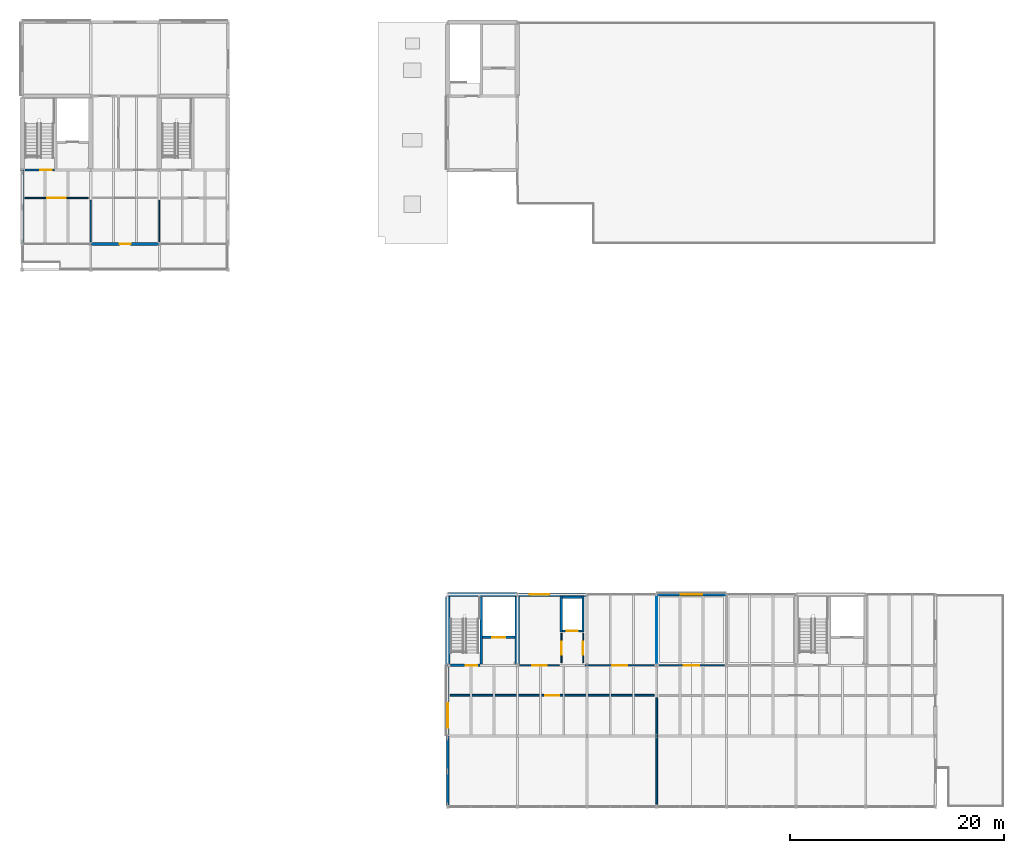
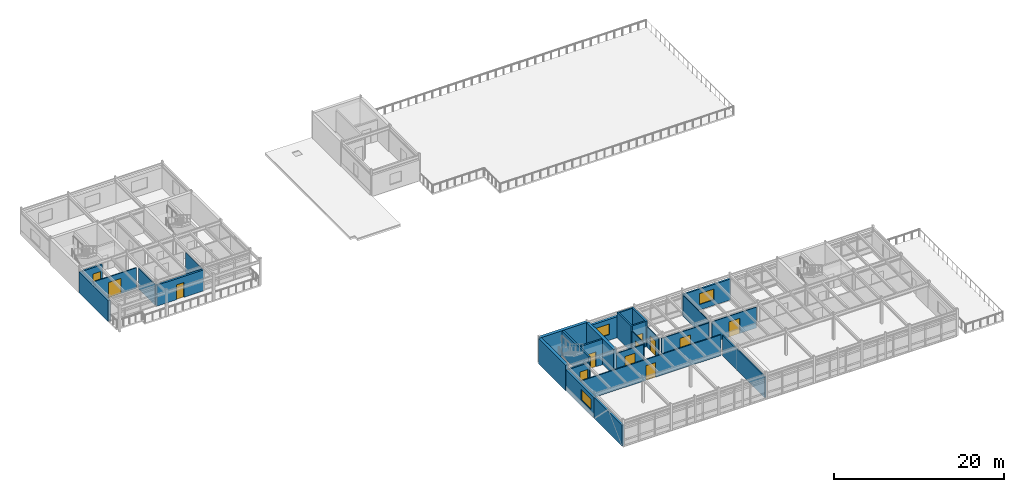
# One storey, part 18 of 26: 28 walls, 12 doors, 3 windows, 15 openings.
"""IFC4 building model written with IfcOpenShell, lengths in metres."""

from ifc_helpers import new_model, si_unit, direction, frame, frame_2d, origin, place, context, subcontext, project, spatial, rectangle, extrude, material, layer, layer_set, type_object, element, fill, save


model = new_model("IFC4")

# Units and contexts
model_context = context("Model", 3, precision=1e-05, world=origin(), true_north=direction((0.0, 1.0)))
body_context = subcontext(model_context, "Body", "Model", "MODEL_VIEW")
ifc_project = project(units=[si_unit("LENGTHUNIT", "METRE"), si_unit("AREAUNIT", "SQUARE_METRE"), si_unit("VOLUMEUNIT", "CUBIC_METRE"), si_unit("PLANEANGLEUNIT", "RADIAN"), si_unit("MASSUNIT", "GRAM", prefix="KILO")], contexts=[model_context])

# Site, building, storey
site_placement = place(None, origin())
site = spatial("IfcSite", under=ifc_project, at=site_placement, CompositionType="ELEMENT")
building_placement = place(site_placement, origin())
building = spatial("IfcBuilding", under=site, at=building_placement, Name="Trelmorton Wharf Fire Station", CompositionType="ELEMENT")
storey_placement = place(building_placement, frame((0.0, 0.0, 17.39990234375)))
storey = spatial("IfcBuildingStorey", under=building, at=storey_placement, Name="L04", CompositionType="ELEMENT", Elevation=17.39990234375)

# Wall, opening, window
ifc_material_1 = material(Name="Precast concrete 45 MPa", Category="concrete")
ifc_layer_1 = layer(ifc_material_1, 0.22998046875)
ifc_layer_set_1 = layer_set([ifc_layer_1], Name="Precast concrete 45 MPa")
wall_type_1 = type_object("IfcWallType", Name="EW_PREC_230", PredefinedType="SOLIDWALL", material=ifc_layer_set_1)
wall_1_placement = place(storey_placement, frame((130.0048828125, 27.60009765625, 0.0), z_axis=(0.0, 0.0, 1.0), x_axis=(1.0, 0.0, 0.0)))
wall_1 = element("IfcWall", 1, at=wall_1_placement, inside=storey, type_object=wall_type_1, Name="EW-V5-L04-0108", PredefinedType="SOLIDWALL", context=body_context, shape_type="SweptSolid", body=[
    extrude(rectangle(XDim=6.490234375, YDim=0.22998046875, at=frame_2d((3.2451171875, 0.0))), origin(), (0.0, 0.0, 1.0), 3.02001953125),
])
opening_1_placement = place(wall_1_placement, frame((2.2451171875, 0.0, 0.800048828125)))
opening_1 = element("IfcOpeningElement", 2, at=opening_1_placement, cuts=wall_1, Name="Opening W42", PredefinedType="OPENING", context=body_context, shape_type="SweptSolid", body=[
    extrude(rectangle(XDim=2.0, YDim=1.550048828125, at=frame_2d((1.0, 0.77490234375))), frame((0.0, 0.125, 0.0), z_axis=(0.0, -1.0, 0.0), x_axis=(1.0, 0.0, 0.0)), (0.0, 0.0, 1.0), 0.25),
])
ifc_material_2 = material(Name="Tempered low-E double glazing", Category="glass")
window_type_1 = type_object("IfcWindowType", Name="WIN_W42", PartitioningType="DOUBLE_PANEL_VERTICAL", PredefinedType="WINDOW", material=ifc_material_2)
window_1_placement = place(opening_1_placement, origin())
window_1 = element("IfcWindow", 3, at=window_1_placement, inside=storey, type_object=window_type_1, Name="WN-V5-L04-0056", OverallHeight=1.550048828125, OverallWidth=2.0, PartitioningType="DOUBLE_PANEL_VERTICAL", PredefinedType="WINDOW", context=body_context, shape_type="SweptSolid", body=[
    extrude(rectangle(XDim=2.0, YDim=1.550048828125, at=frame_2d((1.0, 0.77490234375))), frame((0.0, 0.030029296875, 0.0), z_axis=(0.0, -1.0, 0.0), x_axis=(1.0, 0.0, 0.0)), (0.0, 0.0, 1.0), 0.06005859375),
])
fill(opening_1, window_1)

# Wall
ifc_layer_2 = layer(ifc_material_1, 0.25)
ifc_layer_set_2 = layer_set([ifc_layer_2], Name="Precast concrete 45 MPa")
wall_type_2 = type_object("IfcWallType", Name="EW_PREC_250", PredefinedType="SOLIDWALL", material=ifc_layer_set_2)
wall_2_placement = place(storey_placement, frame((110.5, 7.804931640625, 0.0), z_axis=(0.0, 0.0, 1.0), x_axis=(0.0, 1.0, 0.0)))
element("IfcWall", 4, at=wall_2_placement, inside=storey, type_object=wall_type_2, Name="EW-V5-L04-0109", PredefinedType="SOLIDWALL", context=body_context, shape_type="SweptSolid", body=[
    extrude(rectangle(XDim=6.590087890625, YDim=0.25, at=frame_2d((3.294921875, 0.0))), origin(), (0.0, 0.0, 1.0), 3.02001953125),
])

# Wall, opening, door
wall_3_placement = place(storey_placement, frame((83.594970703125, 60.300048828125, 0.0), z_axis=(0.0, 0.0, 1.0), x_axis=(-1.0, 0.0, 0.0)))
wall_3 = element("IfcWall", 5, at=wall_3_placement, inside=storey, type_object=wall_type_2, Name="EW-V2-L04-0187", PredefinedType="SOLIDWALL", context=body_context, shape_type="SweptSolid", body=[
    extrude(rectangle(XDim=6.389892578125, YDim=0.25, at=frame_2d((3.19482421875, 0.0))), origin(), (0.0, 0.0, 1.0), 3.02001953125),
])
opening_2_placement = place(wall_3_placement, frame((2.68505859375, 0.0, 0.0)))
opening_2 = element("IfcOpeningElement", 6, at=opening_2_placement, cuts=wall_3, Name="Opening TD-029", PredefinedType="OPENING", context=body_context, shape_type="SweptSolid", body=[
    extrude(rectangle(XDim=1.02001953125, YDim=2.139892578125, at=frame_2d((0.510009765625, 1.06982421875))), frame((0.0, 0.135009765625, 0.0), z_axis=(0.0, -1.0, 0.0), x_axis=(1.0, 0.0, 0.0)), (0.0, 0.0, 1.0), 0.27001953125),
])
ifc_material_3 = material(Name="Anodised aluminium AW-6063", Category="aluminium")
door_type_1 = type_object("IfcDoorType", Name="DR_TER_SGL_102", OperationType="NOTDEFINED", PredefinedType="DOOR", material=ifc_material_3)
door_1_placement = place(opening_2_placement, origin())
door_1 = element("IfcDoor", 7, at=door_1_placement, inside=storey, type_object=door_type_1, Name="Terrace Door TD-029", OperationType="SINGLE_SWING_RIGHT", OverallHeight=2.139892578125, OverallWidth=1.02001953125, PredefinedType="DOOR", context=body_context, shape_type="SweptSolid", body=[
    extrude(rectangle(XDim=1.02001953125, YDim=2.139892578125, at=frame_2d((0.510009765625, 1.06982421875))), frame((0.0, 0.02490234375, 0.0), z_axis=(0.0, -1.0, 0.0), x_axis=(1.0, 0.0, 0.0)), (0.0, 0.0, 1.0), 0.050048828125),
])
fill(opening_2, door_1)

# Wall, opening, window
ifc_layer_3 = layer(ifc_material_1, 0.2900390625)
ifc_layer_set_3 = layer_set([ifc_layer_3], Name="Precast concrete 45 MPa")
wall_type_3 = type_object("IfcWallType", Name="EW_TERR_290", PredefinedType="SOLIDWALL", material=ifc_layer_set_3)
wall_4_placement = place(storey_placement, frame((110.5, 14.405029296875, 0.0), z_axis=(0.0, 0.0, 1.0), x_axis=(0.0, 1.0, 0.0)))
wall_4 = element("IfcWall", 8, at=wall_4_placement, inside=storey, type_object=wall_type_3, Name="EW-V5-L04-0111", PredefinedType="SOLIDWALL", context=body_context, shape_type="SweptSolid", body=[
    extrude(rectangle(XDim=6.590087890625, YDim=0.2900390625, at=frame_2d((3.294921875, 0.0))), origin(), (0.0, 0.0, 1.0), 3.02001953125),
])
opening_3_placement = place(wall_4_placement, frame((0.762451171875, 0.0, 0.800048828125)))
opening_3 = element("IfcOpeningElement", 9, at=opening_3_placement, cuts=wall_4, Name="Opening W44", PredefinedType="OPENING", context=body_context, shape_type="SweptSolid", body=[
    extrude(rectangle(XDim=2.300048828125, YDim=1.550048828125, at=frame_2d((1.14990234375, 0.77490234375))), frame((0.0, 0.155029296875, 0.0), z_axis=(0.0, -1.0, 0.0), x_axis=(1.0, 0.0, 0.0)), (0.0, 0.0, 1.0), 0.31005859375),
])
window_type_2 = type_object("IfcWindowType", Name="WIN_W44", PartitioningType="DOUBLE_PANEL_VERTICAL", PredefinedType="WINDOW", material=ifc_material_2)
window_2_placement = place(opening_3_placement, origin())
window_2 = element("IfcWindow", 10, at=window_2_placement, inside=storey, type_object=window_type_2, Name="WN-V5-L04-0058", OverallHeight=1.550048828125, OverallWidth=2.300048828125, PartitioningType="DOUBLE_PANEL_VERTICAL", PredefinedType="WINDOW", context=body_context, shape_type="SweptSolid", body=[
    extrude(rectangle(XDim=2.300048828125, YDim=1.550048828125, at=frame_2d((1.14990234375, 0.77490234375))), frame((0.0, 0.030029296875, 0.0), z_axis=(0.0, -1.0, 0.0), x_axis=(1.0, 0.0, 0.0)), (0.0, 0.0, 1.0), 0.06005859375),
])
fill(opening_3, window_2)

# Wall
ifc_layer_4 = layer(ifc_material_1, 0.31005859375)
ifc_layer_set_4 = layer_set([ifc_layer_4], Name="Precast concrete 45 MPa")
wall_type_4 = type_object("IfcWallType", Name="EW_TERR_310", PredefinedType="SOLIDWALL", material=ifc_layer_set_4)
wall_5_placement = place(storey_placement, frame((70.800048828125, 60.304931640625, 0.0), z_axis=(0.0, 0.0, 1.0), x_axis=(0.0, 1.0, 0.0)))
element("IfcWall", 11, at=wall_5_placement, inside=storey, type_object=wall_type_4, Name="EW-V2-L04-0190", PredefinedType="SOLIDWALL", context=body_context, shape_type="SweptSolid", body=[
    extrude(rectangle(XDim=6.89013671875, YDim=0.31005859375, at=frame_2d((3.445068359375, 0.0))), origin(), (0.0, 0.0, 1.0), 3.02001953125),
])

# Wall, opening, window
ifc_layer_5 = layer(ifc_material_1, 0.330078125)
ifc_layer_set_5 = layer_set([ifc_layer_5], Name="Precast concrete 45 MPa")
wall_type_5 = type_object("IfcWallType", Name="EW_TERR_330", PredefinedType="SOLIDWALL", material=ifc_layer_set_5)
wall_6_placement = place(storey_placement, frame((117.0048828125, 27.60009765625, 0.0), z_axis=(0.0, 0.0, 1.0), x_axis=(1.0, 0.0, 0.0)))
wall_6 = element("IfcWall", 12, at=wall_6_placement, inside=storey, type_object=wall_type_5, Name="EW-V5-L04-0107", PredefinedType="SOLIDWALL", context=body_context, shape_type="SweptSolid", body=[
    extrude(rectangle(XDim=6.490234375, YDim=0.330078125, at=frame_2d((3.2451171875, 0.0))), origin(), (0.0, 0.0, 1.0), 3.02001953125),
])
opening_4_placement = place(wall_6_placement, frame((1.142578125, 0.0, 0.800048828125)))
opening_4 = element("IfcOpeningElement", 13, at=opening_4_placement, cuts=wall_6, Name="Opening W41", PredefinedType="OPENING", context=body_context, shape_type="SweptSolid", body=[
    extrude(rectangle(XDim=1.85009765625, YDim=1.550048828125, at=frame_2d((0.925048828125, 0.77490234375))), frame((0.0, 0.175048828125, 0.0), z_axis=(0.0, -1.0, 0.0), x_axis=(1.0, 0.0, 0.0)), (0.0, 0.0, 1.0), 0.35009765625),
])
window_type_3 = type_object("IfcWindowType", Name="WIN_W41", PartitioningType="DOUBLE_PANEL_VERTICAL", PredefinedType="WINDOW", material=ifc_material_2)
window_3_placement = place(opening_4_placement, origin())
window_3 = element("IfcWindow", 14, at=window_3_placement, inside=storey, type_object=window_type_3, Name="WN-V5-L04-0055", OverallHeight=1.550048828125, OverallWidth=1.85009765625, PartitioningType="DOUBLE_PANEL_VERTICAL", PredefinedType="WINDOW", context=body_context, shape_type="SweptSolid", body=[
    extrude(rectangle(XDim=1.85009765625, YDim=1.550048828125, at=frame_2d((0.925048828125, 0.77490234375))), frame((0.0, 0.030029296875, 0.0), z_axis=(0.0, -1.0, 0.0), x_axis=(1.0, 0.0, 0.0)), (0.0, 0.0, 1.0), 0.06005859375),
])
fill(opening_4, window_3)

# Wall, opening, door
ifc_material_4 = material(Name="Gypsum plasterboard partition")
ifc_layer_6 = layer(ifc_material_4, 0.14990234375)
ifc_layer_set_6 = layer_set([ifc_layer_6], Name="Gypsum plasterboard partition")
wall_type_6 = type_object("IfcWallType", Name="IW_ACOU_150", PredefinedType="PARTITIONING", material=ifc_layer_set_6)
wall_7_placement = place(storey_placement, frame((110.719970703125, 18.199951171875, 0.0), z_axis=(0.0, 0.0, 1.0), x_axis=(1.0, 0.0, 0.0)))
wall_7 = element("IfcWall", 15, at=wall_7_placement, inside=storey, type_object=wall_type_6, Name="IW-L04-0226", PredefinedType="PARTITIONING", context=body_context, shape_type="SweptSolid", body=[
    extrude(rectangle(XDim=19.06005859375, YDim=0.14990234375, at=frame_2d((9.530029296875, 0.0))), origin(), (0.0, 0.0, 1.0), 3.0),
])
opening_5_placement = place(wall_7_placement, frame((8.89501953125, 0.0, 0.0)))
opening_5 = element("IfcOpeningElement", 16, at=opening_5_placement, cuts=wall_7, Name="Opening D-152", PredefinedType="OPENING", context=body_context, shape_type="SweptSolid", body=[
    extrude(rectangle(XDim=1.27001953125, YDim=2.10009765625, at=frame_2d((0.635009765625, 1.050048828125))), frame((0.0, 0.0849609375, 0.0), z_axis=(0.0, -1.0, 0.0), x_axis=(1.0, 0.0, 0.0)), (0.0, 0.0, 1.0), 0.169921875),
])
ifc_material_5 = material(Name="Acoustic timber panelling", Category="wood")
door_type_2 = type_object("IfcDoorType", Name="DR_INT_127", OperationType="NOTDEFINED", PredefinedType="DOOR", material=ifc_material_5)
door_2_placement = place(opening_5_placement, origin())
door_2 = element("IfcDoor", 17, at=door_2_placement, inside=storey, type_object=door_type_2, Name="Interior Door D-152", OperationType="SINGLE_SWING_LEFT", OverallHeight=2.10009765625, OverallWidth=1.27001953125, PredefinedType="DOOR", context=body_context, shape_type="SweptSolid", body=[
    extrude(rectangle(XDim=1.27001953125, YDim=2.10009765625, at=frame_2d((0.635009765625, 1.050048828125))), frame((0.0, 0.02490234375, 0.0), z_axis=(0.0, -1.0, 0.0), x_axis=(1.0, 0.0, 0.0)), (0.0, 0.0, 1.0), 0.050048828125),
])
fill(opening_5, door_2)

# Walls
ifc_layer_7 = layer(ifc_material_4, 0.159912109375)
ifc_layer_set_7 = layer_set([ifc_layer_7], Name="Gypsum plasterboard partition")
wall_type_7 = type_object("IfcWallType", Name="IW_ACOU_160", PredefinedType="PARTITIONING", material=ifc_layer_set_7)
wall_8_placement = place(storey_placement, frame((130.0, 8.02001953125, 0.0), z_axis=(0.0, 0.0, 1.0), x_axis=(0.0, 1.0, 0.0)))
element("IfcWall", 18, at=wall_8_placement, inside=storey, type_object=wall_type_7, Name="IW-L04-0225", PredefinedType="PARTITIONING", context=body_context, shape_type="SweptSolid", body=[
    extrude(rectangle(XDim=9.9599609375, YDim=0.159912109375, at=frame_2d((4.97998046875, 0.0))), origin(), (0.0, 0.0, 1.0), 3.0),
])
ifc_material_6 = material(Name="Concrete 40 MPa", Category="concrete")
ifc_layer_8 = layer(ifc_material_6, 0.219970703125)
ifc_layer_set_8 = layer_set([ifc_layer_8], Name="Concrete 40 MPa")
wall_type_8 = type_object("IfcWallType", Name="IW_CORE_220", PredefinedType="SOLIDWALL", material=ifc_layer_set_8)
wall_9_placement = place(storey_placement, frame((113.6201171875, 21.1201171875, 0.0), z_axis=(0.0, 0.0, 1.0), x_axis=(0.0, 1.0, 0.0)))
element("IfcWall", 19, at=wall_9_placement, inside=storey, type_object=wall_type_8, Name="IW-C3-DIV-L04", PredefinedType="SOLIDWALL", context=body_context, shape_type="SweptSolid", body=[
    extrude(rectangle(XDim=6.2548828125, YDim=0.219970703125, at=frame_2d((3.12744140625, 0.0))), origin(), (0.0, 0.0, 1.0), 3.66015625),
])

# Wall, opening, door
wall_10_placement = place(storey_placement, frame((110.760009765625, 21.0, 0.0), z_axis=(0.0, 0.0, 1.0), x_axis=(1.0, 0.0, 0.0)))
wall_10 = element("IfcWall", 20, at=wall_10_placement, inside=storey, type_object=wall_type_8, Name="IW-C3-SF-L04", PredefinedType="SOLIDWALL", context=body_context, shape_type="SweptSolid", body=[
    extrude(rectangle(XDim=2.739990234375, YDim=0.219970703125, at=frame_2d((1.3701171875, 0.0))), origin(), (0.0, 0.0, 1.0), 3.02001953125),
])
opening_6_placement = place(wall_10_placement, frame((1.43994140625, 0.0, 0.0)))
opening_6 = element("IfcOpeningElement", 21, at=opening_6_placement, cuts=wall_10, Name="Opening FD-015", PredefinedType="OPENING", context=body_context, shape_type="SweptSolid", body=[
    extrude(rectangle(XDim=1.06005859375, YDim=2.10009765625, at=frame_2d((0.530029296875, 1.050048828125))), frame((0.0, 0.1201171875, 0.0), z_axis=(0.0, -1.0, 0.0), x_axis=(1.0, 0.0, 0.0)), (0.0, 0.0, 1.0), 0.239990234375),
])
ifc_material_7 = material(Name="Stainless steel 316 marine grade", Category="steel")
door_type_3 = type_object("IfcDoorType", Name="DR_FIRE_106", OperationType="NOTDEFINED", PredefinedType="DOOR", material=ifc_material_7)
door_3_placement = place(opening_6_placement, origin())
door_3 = element("IfcDoor", 22, at=door_3_placement, inside=storey, type_object=door_type_3, Name="Stair Fire Door FD-015", OperationType="SINGLE_SWING_RIGHT", OverallHeight=2.10009765625, OverallWidth=1.06005859375, PredefinedType="DOOR", context=body_context, shape_type="SweptSolid", body=[
    extrude(rectangle(XDim=1.06005859375, YDim=2.10009765625, at=frame_2d((0.530029296875, 1.050048828125))), frame((0.0, 0.02490234375, 0.0), z_axis=(0.0, -1.0, 0.0), x_axis=(1.0, 0.0, 0.0)), (0.0, 0.0, 1.0), 0.050048828125),
])
fill(opening_6, door_3)

wall_11_placement = place(storey_placement, frame((113.739990234375, 23.60009765625, 0.0), z_axis=(0.0, 0.0, 1.0), x_axis=(1.0, 0.0, 0.0)))
wall_11 = element("IfcWall", 23, at=wall_11_placement, inside=storey, type_object=wall_type_8, Name="IW-C3-LSH-L04", PredefinedType="SOLIDWALL", context=body_context, shape_type="SweptSolid", body=[
    extrude(rectangle(XDim=3.034912109375, YDim=0.219970703125, at=frame_2d((1.517578125, 0.0))), origin(), (0.0, 0.0, 1.0), 3.66015625),
])
opening_7_placement = place(wall_11_placement, frame((0.91748046875, 0.0, 0.0)))
opening_7 = element("IfcOpeningElement", 24, at=opening_7_placement, cuts=wall_11, Name="Opening LD-013", PredefinedType="OPENING", context=body_context, shape_type="SweptSolid", body=[
    extrude(rectangle(XDim=1.199951171875, YDim=2.14990234375, at=frame_2d((0.60009765625, 1.074951171875))), frame((0.0, 0.1201171875, 0.0), z_axis=(0.0, -1.0, 0.0), x_axis=(1.0, 0.0, 0.0)), (0.0, 0.0, 1.0), 0.239990234375),
])
door_type_4 = type_object("IfcDoorType", Name="DR_LIFT_120", OperationType="DOUBLE_DOOR_SLIDING", PredefinedType="DOOR", material=ifc_material_7)
door_4_placement = place(opening_7_placement, origin())
door_4 = element("IfcDoor", 25, at=door_4_placement, inside=storey, type_object=door_type_4, Name="Lift Landing Door LD-013", OperationType="DOUBLE_DOOR_SLIDING", OverallHeight=2.14990234375, OverallWidth=1.199951171875, PredefinedType="DOOR", context=body_context, shape_type="SweptSolid", body=[
    extrude(rectangle(XDim=1.199951171875, YDim=2.14990234375, at=frame_2d((0.60009765625, 1.074951171875))), frame((0.0, 0.02490234375, 0.0), z_axis=(0.0, -1.0, 0.0), x_axis=(1.0, 0.0, 0.0)), (0.0, 0.0, 1.0), 0.050048828125),
])
fill(opening_7, door_4)

# Walls
for number, where, z_axis, x_axis, name in (
    (26, (121.110107421875, 24.090087890625, 0.0), (0.0, 0.0, 1.0), (0.0, 1.0, 0.0), "IW-LF3-W-L04"),
    (27, (123.1298828125, 24.090087890625, 0.0), (0.0, 0.0, 1.0), (0.0, 1.0, 0.0), "IW-LF3-E-L04"),
):
    element("IfcWall", number, at=place(storey_placement, frame(where, z_axis=z_axis, x_axis=x_axis)), inside=storey, type_object=wall_type_8, Name=name, PredefinedType="SOLIDWALL", context=body_context, shape_type="SweptSolid", body=[
        extrude(rectangle(XDim=3.35986328125, YDim=0.219970703125, at=frame_2d((1.679931640625, 0.0))), origin(), (0.0, 0.0, 1.0), 3.66015625),
    ])
wall_12_placement = place(storey_placement, frame((121.219970703125, 27.340087890625, 0.0), z_axis=(0.0, 0.0, 1.0), x_axis=(1.0, 0.0, 0.0)))
element("IfcWall", 28, at=wall_12_placement, inside=storey, type_object=wall_type_8, Name="IW-LF3-N-L04", PredefinedType="SOLIDWALL", context=body_context, shape_type="SweptSolid", body=[
    extrude(rectangle(XDim=1.800048828125, YDim=0.219970703125, at=frame_2d((0.89990234375, 0.0))), origin(), (0.0, 0.0, 1.0), 3.66015625),
])

# Wall, opening, door
wall_13_placement = place(storey_placement, frame((121.219970703125, 24.199951171875, 0.0), z_axis=(0.0, 0.0, 1.0), x_axis=(1.0, 0.0, 0.0)))
wall_13 = element("IfcWall", 29, at=wall_13_placement, inside=storey, type_object=wall_type_8, Name="IW-LF3-S-L04", PredefinedType="SOLIDWALL", context=body_context, shape_type="SweptSolid", body=[
    extrude(rectangle(XDim=1.800048828125, YDim=0.219970703125, at=frame_2d((0.89990234375, 0.0))), origin(), (0.0, 0.0, 1.0), 3.66015625),
])
opening_8_placement = place(wall_13_placement, frame((0.39990234375, 0.0, 0.0)))
opening_8 = element("IfcOpeningElement", 30, at=opening_8_placement, cuts=wall_13, Name="Opening LD-014", PredefinedType="OPENING", context=body_context, shape_type="SweptSolid", body=[
    extrude(rectangle(XDim=1.0, YDim=2.10009765625, at=frame_2d((0.5, 1.050048828125))), frame((0.0, 0.1201171875, 0.0), z_axis=(0.0, -1.0, 0.0), x_axis=(1.0, 0.0, 0.0)), (0.0, 0.0, 1.0), 0.239990234375),
])
door_type_5 = type_object("IfcDoorType", Name="DR_LIFT_100", OperationType="DOUBLE_DOOR_SLIDING", PredefinedType="DOOR", material=ifc_material_7)
door_5_placement = place(opening_8_placement, origin())
door_5 = element("IfcDoor", 31, at=door_5_placement, inside=storey, type_object=door_type_5, Name="Lift Landing Door LD-014", OperationType="DOUBLE_DOOR_SLIDING", OverallHeight=2.10009765625, OverallWidth=1.0, PredefinedType="DOOR", context=body_context, shape_type="SweptSolid", body=[
    extrude(rectangle(XDim=1.0, YDim=2.10009765625, at=frame_2d((0.5, 1.050048828125))), frame((0.0, 0.02490234375, 0.0), z_axis=(0.0, -1.0, 0.0), x_axis=(1.0, 0.0, 0.0)), (0.0, 0.0, 1.0), 0.050048828125),
])
fill(opening_8, door_5)

wall_14_placement = place(storey_placement, frame((71.06005859375, 67.199951171875, 0.0), z_axis=(0.0, 0.0, 1.0), x_axis=(1.0, 0.0, 0.0)))
wall_14 = element("IfcWall", 32, at=wall_14_placement, inside=storey, type_object=wall_type_8, Name="IW-C6-SF-L04", PredefinedType="SOLIDWALL", context=body_context, shape_type="SweptSolid", body=[
    extrude(rectangle(XDim=2.739990234375, YDim=0.219970703125, at=frame_2d((1.3701171875, 0.0))), origin(), (0.0, 0.0, 1.0), 3.02001953125),
])
opening_9_placement = place(wall_14_placement, frame((1.43994140625, 0.0, 0.0)))
opening_9 = element("IfcOpeningElement", 33, at=opening_9_placement, cuts=wall_14, Name="Opening FD-032", PredefinedType="OPENING", context=body_context, shape_type="SweptSolid", body=[
    extrude(rectangle(XDim=1.06005859375, YDim=2.10009765625, at=frame_2d((0.530029296875, 1.050048828125))), frame((0.0, 0.1201171875, 0.0), z_axis=(0.0, -1.0, 0.0), x_axis=(1.0, 0.0, 0.0)), (0.0, 0.0, 1.0), 0.239990234375),
])
door_6_placement = place(opening_9_placement, origin())
door_6 = element("IfcDoor", 34, at=door_6_placement, inside=storey, type_object=door_type_3, Name="Stair Fire Door FD-032", OperationType="SINGLE_SWING_RIGHT", OverallHeight=2.10009765625, OverallWidth=1.06005859375, PredefinedType="DOOR", context=body_context, shape_type="SweptSolid", body=[
    extrude(rectangle(XDim=1.06005859375, YDim=2.10009765625, at=frame_2d((0.530029296875, 1.050048828125))), frame((0.0, 0.02490234375, 0.0), z_axis=(0.0, -1.0, 0.0), x_axis=(1.0, 0.0, 0.0)), (0.0, 0.0, 1.0), 0.050048828125),
])
fill(opening_9, door_6)

# Wall
ifc_layer_9 = layer(ifc_material_5, 0.090087890625)
ifc_layer_set_9 = layer_set([ifc_layer_9], Name="Acoustic timber panelling")
wall_type_9 = type_object("IfcWallType", Name="IW_MOVE_090", PredefinedType="MOVABLE", material=ifc_layer_set_9)
wall_15_placement = place(storey_placement, frame((130.0, 21.219970703125, 0.0), z_axis=(0.0, 0.0, 1.0), x_axis=(0.0, 1.0, 0.0)))
element("IfcWall", 35, at=wall_15_placement, inside=storey, type_object=wall_type_9, Name="IW-L04-0233", PredefinedType="MOVABLE", context=body_context, shape_type="SweptSolid", body=[
    extrude(rectangle(XDim=6.159912109375, YDim=0.090087890625, at=frame_2d((3.080078125, 0.0))), origin(), (0.0, 0.0, 1.0), 3.0),
])

# Wall, opening, door
ifc_layer_10 = layer(ifc_material_4, 0.10009765625)
ifc_layer_set_10 = layer_set([ifc_layer_10], Name="Gypsum plasterboard partition")
wall_type_10 = type_object("IfcWallType", Name="IW_PART_100", PredefinedType="PARTITIONING", material=ifc_layer_set_10)
wall_16_placement = place(storey_placement, frame((123.1298828125, 21.219970703125, 0.0), z_axis=(0.0, 0.0, 1.0), x_axis=(0.0, 1.0, 0.0)))
wall_16 = element("IfcWall", 36, at=wall_16_placement, inside=storey, type_object=wall_type_10, Name="IW-L04-0224", PredefinedType="PARTITIONING", context=body_context, shape_type="SweptSolid", body=[
    extrude(rectangle(XDim=2.760009765625, YDim=0.10009765625, at=frame_2d((1.3798828125, 0.0))), origin(), (0.0, 0.0, 1.0), 3.0),
])
opening_10_placement = place(wall_16_placement, frame((0.764892578125, 0.0, 0.0)))
opening_10 = element("IfcOpeningElement", 37, at=opening_10_placement, cuts=wall_16, Name="Opening D-151", PredefinedType="OPENING", context=body_context, shape_type="SweptSolid", body=[
    extrude(rectangle(XDim=1.22998046875, YDim=2.080078125, at=frame_2d((0.614990234375, 1.0400390625))), frame((0.0, 0.06005859375, 0.0), z_axis=(0.0, -1.0, 0.0), x_axis=(1.0, 0.0, 0.0)), (0.0, 0.0, 1.0), 0.1201171875),
])
door_type_6 = type_object("IfcDoorType", Name="DR_INT_123", OperationType="NOTDEFINED", PredefinedType="DOOR", material=ifc_material_5)
door_7_placement = place(opening_10_placement, origin())
door_7 = element("IfcDoor", 38, at=door_7_placement, inside=storey, type_object=door_type_6, Name="Interior Door D-151", OperationType="SINGLE_SWING_RIGHT", OverallHeight=2.080078125, OverallWidth=1.22998046875, PredefinedType="DOOR", context=body_context, shape_type="SweptSolid", body=[
    extrude(rectangle(XDim=1.22998046875, YDim=2.080078125, at=frame_2d((0.614990234375, 1.0400390625))), frame((0.0, 0.02490234375, 0.0), z_axis=(0.0, -1.0, 0.0), x_axis=(1.0, 0.0, 0.0)), (0.0, 0.0, 1.0), 0.050048828125),
])
fill(opening_10, door_7)

ifc_layer_11 = layer(ifc_material_4, 0.110107421875)
ifc_layer_set_11 = layer_set([ifc_layer_11], Name="Gypsum plasterboard partition")
wall_type_11 = type_object("IfcWallType", Name="IW_PART_110", PredefinedType="PARTITIONING", material=ifc_layer_set_11)
wall_17_placement = place(storey_placement, frame((121.110107421875, 21.219970703125, 0.0), z_axis=(0.0, 0.0, 1.0), x_axis=(0.0, 1.0, 0.0)))
wall_17 = element("IfcWall", 39, at=wall_17_placement, inside=storey, type_object=wall_type_11, Name="IW-L04-0223", PredefinedType="PARTITIONING", context=body_context, shape_type="SweptSolid", body=[
    extrude(rectangle(XDim=2.760009765625, YDim=0.110107421875, at=frame_2d((1.3798828125, 0.0))), origin(), (0.0, 0.0, 1.0), 3.0),
])
opening_11_placement = place(wall_17_placement, frame((0.784912109375, 0.0, 0.0)))
opening_11 = element("IfcOpeningElement", 40, at=opening_11_placement, cuts=wall_17, Name="Opening D-150", PredefinedType="OPENING", context=body_context, shape_type="SweptSolid", body=[
    extrude(rectangle(XDim=1.18994140625, YDim=2.139892578125, at=frame_2d((0.594970703125, 1.06982421875))), frame((0.0, 0.06494140625, 0.0), z_axis=(0.0, -1.0, 0.0), x_axis=(1.0, 0.0, 0.0)), (0.0, 0.0, 1.0), 0.130126953125),
])
door_type_7 = type_object("IfcDoorType", Name="DR_INT_119", OperationType="NOTDEFINED", PredefinedType="DOOR", material=ifc_material_5)
door_8_placement = place(opening_11_placement, origin())
door_8 = element("IfcDoor", 41, at=door_8_placement, inside=storey, type_object=door_type_7, Name="Interior Door D-150", OperationType="SINGLE_SWING_LEFT", OverallHeight=2.139892578125, OverallWidth=1.18994140625, PredefinedType="DOOR", context=body_context, shape_type="SweptSolid", body=[
    extrude(rectangle(XDim=1.18994140625, YDim=2.139892578125, at=frame_2d((0.594970703125, 1.06982421875))), frame((0.0, 0.02490234375, 0.0), z_axis=(0.0, -1.0, 0.0), x_axis=(1.0, 0.0, 0.0)), (0.0, 0.0, 1.0), 0.050048828125),
])
fill(opening_11, door_8)

wall_18_placement = place(storey_placement, frame((130.219970703125, 21.0, 0.0), z_axis=(0.0, 0.0, 1.0), x_axis=(1.0, 0.0, 0.0)))
wall_18 = element("IfcWall", 42, at=wall_18_placement, inside=storey, type_object=wall_type_11, Name="IW-L04-0230", PredefinedType="PARTITIONING", context=body_context, shape_type="SweptSolid", body=[
    extrude(rectangle(XDim=6.06005859375, YDim=0.110107421875, at=frame_2d((3.030029296875, 0.0))), origin(), (0.0, 0.0, 1.0), 3.0),
])
opening_12_placement = place(wall_18_placement, frame((2.2900390625, 0.0, 0.0)))
opening_12 = element("IfcOpeningElement", 43, at=opening_12_placement, cuts=wall_18, Name="Opening D-156", PredefinedType="OPENING", context=body_context, shape_type="SweptSolid", body=[
    extrude(rectangle(XDim=1.47998046875, YDim=2.179931640625, at=frame_2d((0.739990234375, 1.08984375))), frame((0.0, 0.06494140625, 0.0), z_axis=(0.0, -1.0, 0.0), x_axis=(1.0, 0.0, 0.0)), (0.0, 0.0, 1.0), 0.130126953125),
])
door_type_8 = type_object("IfcDoorType", Name="DR_INT_148", OperationType="DOUBLE_DOOR_SINGLE_SWING", PredefinedType="DOOR", material=ifc_material_5)
door_9_placement = place(opening_12_placement, origin())
door_9 = element("IfcDoor", 44, at=door_9_placement, inside=storey, type_object=door_type_8, Name="Interior Door D-156", OperationType="DOUBLE_DOOR_SINGLE_SWING", OverallHeight=2.179931640625, OverallWidth=1.47998046875, PredefinedType="DOOR", context=body_context, shape_type="SweptSolid", body=[
    extrude(rectangle(XDim=1.47998046875, YDim=2.179931640625, at=frame_2d((0.739990234375, 1.08984375))), frame((0.0, 0.02490234375, 0.0), z_axis=(0.0, -1.0, 0.0), x_axis=(1.0, 0.0, 0.0)), (0.0, 0.0, 1.0), 0.050048828125),
])
fill(opening_12, door_9)

# Wall
wall_19_placement = place(storey_placement, frame((83.60009765625, 60.52001953125, 0.0), z_axis=(0.0, 0.0, 1.0), x_axis=(0.0, 1.0, 0.0)))
element("IfcWall", 45, at=wall_19_placement, inside=storey, type_object=wall_type_11, Name="IW-L04-0237", PredefinedType="PARTITIONING", context=body_context, shape_type="SweptSolid", body=[
    extrude(rectangle(XDim=3.85986328125, YDim=0.110107421875, at=frame_2d((1.929931640625, 0.0))), origin(), (0.0, 0.0, 1.0), 3.0),
])

# Wall, opening, door
ifc_layer_12 = layer(ifc_material_4, 0.1298828125)
ifc_layer_set_12 = layer_set([ifc_layer_12], Name="Gypsum plasterboard partition")
wall_type_12 = type_object("IfcWallType", Name="IW_PART_130", PredefinedType="PARTITIONING", material=ifc_layer_set_12)
wall_20_placement = place(storey_placement, frame((117.219970703125, 21.0, 0.0), z_axis=(0.0, 0.0, 1.0), x_axis=(1.0, 0.0, 0.0)))
wall_20 = element("IfcWall", 46, at=wall_20_placement, inside=storey, type_object=wall_type_12, Name="IW-L04-0228", PredefinedType="PARTITIONING", context=body_context, shape_type="SweptSolid", body=[
    extrude(rectangle(XDim=3.669921875, YDim=0.1298828125, at=frame_2d((1.8349609375, 0.0))), origin(), (0.0, 0.0, 1.0), 3.0),
])
opening_13_placement = place(wall_20_placement, frame((1.155029296875, 0.0, 0.0)))
opening_13 = element("IfcOpeningElement", 47, at=opening_13_placement, cuts=wall_20, Name="Opening D-154", PredefinedType="OPENING", context=body_context, shape_type="SweptSolid", body=[
    extrude(rectangle(XDim=1.360107421875, YDim=2.14990234375, at=frame_2d((0.68017578125, 1.074951171875))), frame((0.0, 0.074951171875, 0.0), z_axis=(0.0, -1.0, 0.0), x_axis=(1.0, 0.0, 0.0)), (0.0, 0.0, 1.0), 0.14990234375),
])
door_type_9 = type_object("IfcDoorType", Name="DR_INT_136", OperationType="DOUBLE_DOOR_SINGLE_SWING", PredefinedType="DOOR", material=ifc_material_5)
door_10_placement = place(opening_13_placement, origin())
door_10 = element("IfcDoor", 48, at=door_10_placement, inside=storey, type_object=door_type_9, Name="Interior Door D-154", OperationType="DOUBLE_DOOR_SINGLE_SWING", OverallHeight=2.14990234375, OverallWidth=1.360107421875, PredefinedType="DOOR", context=body_context, shape_type="SweptSolid", body=[
    extrude(rectangle(XDim=1.360107421875, YDim=2.14990234375, at=frame_2d((0.68017578125, 1.074951171875))), frame((0.0, 0.02490234375, 0.0), z_axis=(0.0, -1.0, 0.0), x_axis=(1.0, 0.0, 0.0)), (0.0, 0.0, 1.0), 0.050048828125),
])
fill(opening_13, door_10)

# Wall
wall_21_placement = place(storey_placement, frame((77.199951171875, 60.52001953125, 0.0), z_axis=(0.0, 0.0, 1.0), x_axis=(0.0, 1.0, 0.0)))
element("IfcWall", 49, at=wall_21_placement, inside=storey, type_object=wall_type_12, Name="IW-L04-0235", PredefinedType="PARTITIONING", context=body_context, shape_type="SweptSolid", body=[
    extrude(rectangle(XDim=3.85986328125, YDim=0.1298828125, at=frame_2d((1.929931640625, 0.0))), origin(), (0.0, 0.0, 1.0), 3.0),
])

# Wall, opening, door
ifc_layer_13 = layer(ifc_material_4, 0.1201171875)
ifc_layer_set_13 = layer_set([ifc_layer_13], Name="Gypsum plasterboard partition")
wall_type_13 = type_object("IfcWallType", Name="IW_WET_120", PredefinedType="PARTITIONING", material=ifc_layer_set_13)
wall_22_placement = place(storey_placement, frame((123.35009765625, 21.0, 0.0), z_axis=(0.0, 0.0, 1.0), x_axis=(1.0, 0.0, 0.0)))
wall_22 = element("IfcWall", 50, at=wall_22_placement, inside=storey, type_object=wall_type_13, Name="IW-L04-0229", PredefinedType="PARTITIONING", context=body_context, shape_type="SweptSolid", body=[
    extrude(rectangle(XDim=6.429931640625, YDim=0.1201171875, at=frame_2d((3.21484375, 0.0))), origin(), (0.0, 0.0, 1.0), 3.0),
])
opening_14_placement = place(wall_22_placement, frame((2.5048828125, 0.0, 0.0)))
opening_14 = element("IfcOpeningElement", 51, at=opening_14_placement, cuts=wall_22, Name="Opening D-155", PredefinedType="OPENING", context=body_context, shape_type="SweptSolid", body=[
    extrude(rectangle(XDim=1.419921875, YDim=2.14990234375, at=frame_2d((0.7099609375, 1.074951171875))), frame((0.0, 0.070068359375, 0.0), z_axis=(0.0, -1.0, 0.0), x_axis=(1.0, 0.0, 0.0)), (0.0, 0.0, 1.0), 0.14013671875),
])
door_type_10 = type_object("IfcDoorType", Name="DR_INT_142", OperationType="DOUBLE_DOOR_SINGLE_SWING", PredefinedType="DOOR", material=ifc_material_5)
door_11_placement = place(opening_14_placement, origin())
door_11 = element("IfcDoor", 52, at=door_11_placement, inside=storey, type_object=door_type_10, Name="Interior Door D-155", OperationType="DOUBLE_DOOR_SINGLE_SWING", OverallHeight=2.14990234375, OverallWidth=1.419921875, PredefinedType="DOOR", context=body_context, shape_type="SweptSolid", body=[
    extrude(rectangle(XDim=1.419921875, YDim=2.14990234375, at=frame_2d((0.7099609375, 1.074951171875))), frame((0.0, 0.02490234375, 0.0), z_axis=(0.0, -1.0, 0.0), x_axis=(1.0, 0.0, 0.0)), (0.0, 0.0, 1.0), 0.050048828125),
])
fill(opening_14, door_11)

wall_23_placement = place(storey_placement, frame((71.02001953125, 64.60009765625, 0.0), z_axis=(0.0, 0.0, 1.0), x_axis=(1.0, 0.0, 0.0)))
wall_23 = element("IfcWall", 53, at=wall_23_placement, inside=storey, type_object=wall_type_13, Name="IW-L04-0236", PredefinedType="PARTITIONING", context=body_context, shape_type="SweptSolid", body=[
    extrude(rectangle(XDim=5.9599609375, YDim=0.1201171875, at=frame_2d((2.97998046875, 0.0))), origin(), (0.0, 0.0, 1.0), 3.0),
])
opening_15_placement = place(wall_23_placement, frame((2.110107421875, 0.0, 0.0)))
opening_15 = element("IfcOpeningElement", 54, at=opening_15_placement, cuts=wall_23, Name="Opening D-159", PredefinedType="OPENING", context=body_context, shape_type="SweptSolid", body=[
    extrude(rectangle(XDim=1.739990234375, YDim=2.199951171875, at=frame_2d((0.8701171875, 1.10009765625))), frame((0.0, 0.070068359375, 0.0), z_axis=(0.0, -1.0, 0.0), x_axis=(1.0, 0.0, 0.0)), (0.0, 0.0, 1.0), 0.14013671875),
])
door_type_11 = type_object("IfcDoorType", Name="DR_INT_174", OperationType="DOUBLE_DOOR_SINGLE_SWING", PredefinedType="DOOR", material=ifc_material_5)
door_12_placement = place(opening_15_placement, origin())
door_12 = element("IfcDoor", 55, at=door_12_placement, inside=storey, type_object=door_type_11, Name="Interior Door D-159", OperationType="DOUBLE_DOOR_SINGLE_SWING", OverallHeight=2.199951171875, OverallWidth=1.739990234375, PredefinedType="DOOR", context=body_context, shape_type="SweptSolid", body=[
    extrude(rectangle(XDim=1.739990234375, YDim=2.199951171875, at=frame_2d((0.8701171875, 1.10009765625))), frame((0.0, 0.02490234375, 0.0), z_axis=(0.0, -1.0, 0.0), x_axis=(1.0, 0.0, 0.0)), (0.0, 0.0, 1.0), 0.050048828125),
])
fill(opening_15, door_12)

# Walls
ifc_material_8 = material(Name="Concrete 50 MPa", Category="concrete")
ifc_layer_14 = layer(ifc_material_8, 0.39990234375)
ifc_layer_set_14 = layer_set([ifc_layer_14], Name="Concrete 50 MPa")
wall_type_14 = type_object("IfcWallType", Name="WL_CORE_400", PredefinedType="SHEAR", material=ifc_layer_set_14)
wall_24_placement = place(storey_placement, frame((110.5, 27.60009765625, 0.0), z_axis=(0.0, 0.0, 1.0), x_axis=(1.0, 0.0, 0.0)))
element("IfcWall", 56, at=wall_24_placement, inside=storey, type_object=wall_type_14, Name="WL-SW-C3-L04-043", PredefinedType="SHEAR", context=body_context, shape_type="SweptSolid", body=[
    extrude(rectangle(XDim=6.5, YDim=0.39990234375, at=frame_2d((3.25, 0.0))), origin(), (0.0, 0.0, 1.0), 3.66015625),
])
for number, where, z_axis, x_axis, name in (
    (57, (110.5, 21.0, 0.0), (0.0, 0.0, 1.0), (0.0, 1.0, 0.0), "WL-SW-C3-L04-044"),
    (58, (117.0, 21.0, 0.0), (0.0, 0.0, 1.0), (0.0, 1.0, 0.0), "WL-SW-C3-L04-045"),
):
    element("IfcWall", number, at=place(storey_placement, frame(where, z_axis=z_axis, x_axis=x_axis)), inside=storey, type_object=wall_type_14, Name=name, PredefinedType="SHEAR", context=body_context, shape_type="SweptSolid", body=[
        extrude(rectangle(XDim=6.39990234375, YDim=0.39990234375, at=frame_2d((3.199951171875, 0.0))), origin(), (0.0, 0.0, 1.0), 3.66015625),
    ])

save(model, "model.ifc")
